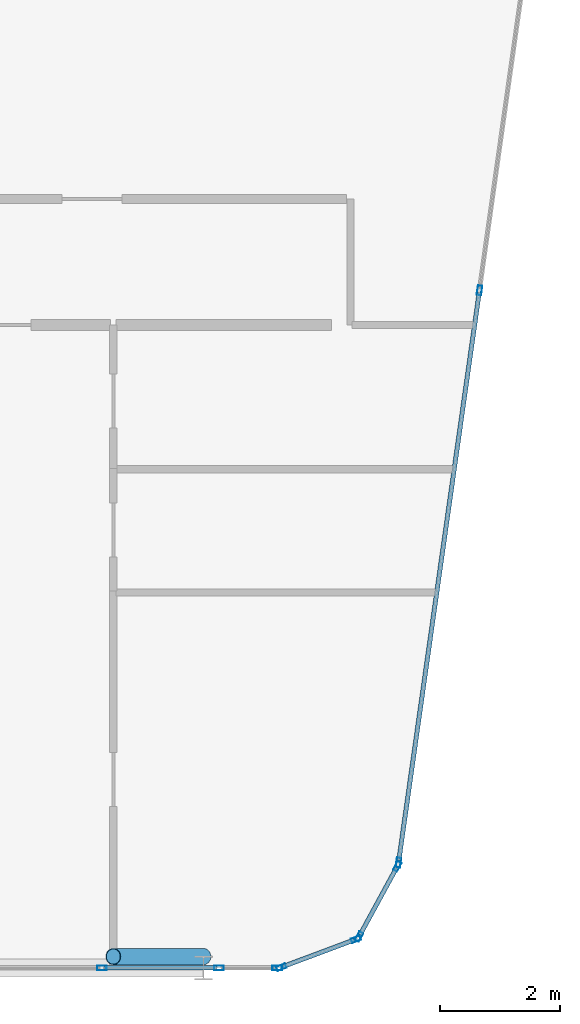
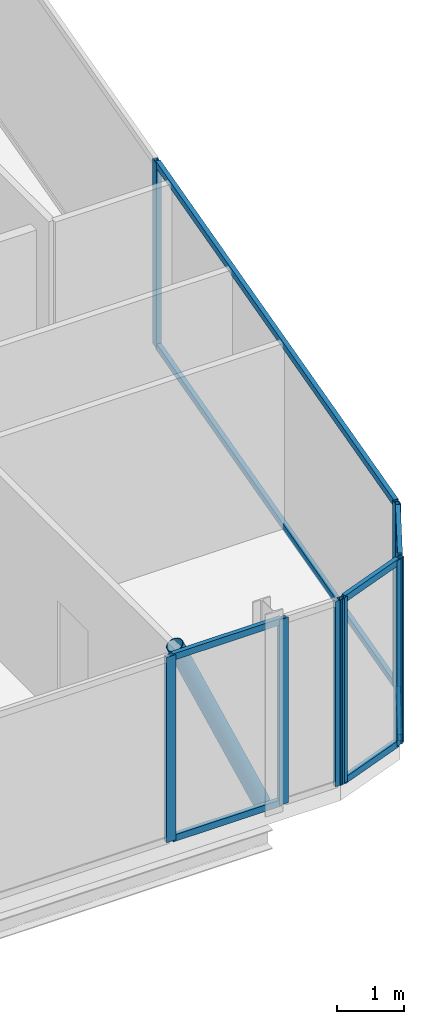
# One storey, part 14 of 31: 18 members, 5 elements without a shape of their own.
"""IFC4 building model written with IfcOpenShell, lengths in metres."""

from ifc_helpers import new_model, si_unit, direction, frame, origin, origin_2d, place, context, subcontext, project, spatial, hollow_rectangle, hollow_circle, extrude, material, layer, layer_set, material_profile, profile_set, type_object, element, aggregate, save


model = new_model("IFC4")

# Units and contexts
model_context = context("Model", 3, precision=1e-05, world=origin(), true_north=direction((0.0, 1.0)))
body_context = subcontext(model_context, "Body", "Model", "MODEL_VIEW")
ifc_project = project(units=[si_unit("LENGTHUNIT", "METRE"), si_unit("AREAUNIT", "SQUARE_METRE"), si_unit("VOLUMEUNIT", "CUBIC_METRE"), si_unit("PLANEANGLEUNIT", "RADIAN"), si_unit("MASSUNIT", "GRAM", prefix="KILO")], contexts=[model_context])

# Site, building, storey
site_placement = place(None, origin())
site = spatial("IfcSite", under=ifc_project, at=site_placement, CompositionType="ELEMENT")
building_placement = place(site_placement, origin())
building = spatial("IfcBuilding", under=site, at=building_placement, Name="Keshet Zoharim Tower", CompositionType="ELEMENT")
storey_placement = place(building_placement, frame((0.0, 0.0, 276.89990234375)))
storey = spatial("IfcBuildingStorey", under=building, at=storey_placement, Name="L69", CompositionType="ELEMENT", Elevation=276.89990234375)

# Curtain wall, members
ifc_material_1 = material(Name="Aluminium 6063-T6", Category="aluminium")
ifc_layer = layer(ifc_material_1, 0.260009765625)
ifc_layer_set = layer_set([ifc_layer], Name="Aluminium 6063-T6")
curtain_wall_type = type_object("IfcCurtainWallType", Name="CW-SYS-06", PredefinedType="NOTDEFINED", material=ifc_layer_set)
curtain_wall_1_placement = place(storey_placement, origin())
curtain_wall_1 = element("IfcCurtainWall", 1, at=curtain_wall_1_placement, inside=storey, type_object=curtain_wall_type, Name="L69 Unitised Curtain Wall 11", PredefinedType="NOTDEFINED")
ifc_material_profile_1 = material_profile(ifc_material_1, hollow_rectangle(XDim=0.074951171875, YDim=0.159912109375, WallThickness=0.00390625, at=origin_2d()), Name="MUL-75x160")
ifc_profile_set_1 = profile_set([ifc_material_profile_1], Name="Aluminium 6063-T6")
member_type_1 = type_object("IfcMemberType", Name="CWM-M15", PredefinedType="MULLION", material=ifc_profile_set_1)
member_1_placement = place(storey_placement, frame((43.595458984375, 17.97607421875, 0.0), z_axis=(0.0, 0.0, 1.0), x_axis=(0.990132057422, -0.140137464177, 0.0)))
member_1 = element("IfcMember", 2, at=member_1_placement, type_object=member_type_1, Name="CW-06 mullion 2", PredefinedType="MULLION", context=body_context, shape_type="SweptSolid", body=[
    extrude(hollow_rectangle(XDim=0.074951171875, YDim=0.159912109375, WallThickness=0.00390625, at=origin_2d()), origin(), (0.0, 0.0, 1.0), 3.39013671875),
])
member_2_placement = place(storey_placement, frame((42.247802734375, 8.45458984375, 0.0), z_axis=(0.0, 0.0, 1.0), x_axis=(0.990132057422, -0.140137464177, 0.0)))
member_2 = element("IfcMember", 3, at=member_2_placement, type_object=member_type_1, Name="CW-06 mullion 3", PredefinedType="MULLION", context=body_context, shape_type="SweptSolid", body=[
    extrude(hollow_rectangle(XDim=0.074951171875, YDim=0.159912109375, WallThickness=0.00390625, at=origin_2d()), origin(), (0.0, 0.0, 1.0), 3.39013671875),
])

curtain_wall_2_placement = place(storey_placement, origin())
curtain_wall_2 = element("IfcCurtainWall", 4, at=curtain_wall_2_placement, inside=storey, type_object=curtain_wall_type, Name="L69 Unitised Curtain Wall 12", PredefinedType="NOTDEFINED")
member_3_placement = place(storey_placement, frame((42.226318359375, 8.38916015625, 0.0), z_axis=(0.0, 0.0, 1.0), x_axis=(0.878468125004, -0.477800955789, 0.0)))
member_3 = element("IfcMember", 5, at=member_3_placement, type_object=member_type_1, Name="CW-06 mullion 1", PredefinedType="MULLION", context=body_context, shape_type="SweptSolid", body=[
    extrude(hollow_rectangle(XDim=0.074951171875, YDim=0.159912109375, WallThickness=0.00390625, at=origin_2d()), origin(), (0.0, 0.0, 1.0), 3.39013671875),
])
member_4_placement = place(storey_placement, frame((41.5908203125, 7.220703125, 0.0), z_axis=(0.0, 0.0, 1.0), x_axis=(0.878468125004, -0.477800955789, 0.0)))
member_4 = element("IfcMember", 6, at=member_4_placement, type_object=member_type_1, Name="CW-06 mullion 2", PredefinedType="MULLION", context=body_context, shape_type="SweptSolid", body=[
    extrude(hollow_rectangle(XDim=0.074951171875, YDim=0.159912109375, WallThickness=0.00390625, at=origin_2d()), origin(), (0.0, 0.0, 1.0), 3.39013671875),
])

curtain_wall_3_placement = place(storey_placement, origin())
curtain_wall_3 = element("IfcCurtainWall", 7, at=curtain_wall_3_placement, inside=storey, type_object=curtain_wall_type, Name="L69 Unitised Curtain Wall 13", PredefinedType="NOTDEFINED")
member_5_placement = place(storey_placement, frame((41.541259765625, 7.177734375, 0.0), z_axis=(0.0, 0.0, 1.0), x_axis=(0.350105315376, -0.936710343781, 0.0)))
member_5 = element("IfcMember", 8, at=member_5_placement, type_object=member_type_1, Name="CW-06 mullion 1", PredefinedType="MULLION", context=body_context, shape_type="SweptSolid", body=[
    extrude(hollow_rectangle(XDim=0.074951171875, YDim=0.159912109375, WallThickness=0.00390625, at=origin_2d()), origin(), (0.0, 0.0, 1.0), 3.39013671875),
])
member_6_placement = place(storey_placement, frame((40.2958984375, 6.712158203125, 0.0), z_axis=(0.0, 0.0, 1.0), x_axis=(0.350105315376, -0.936710343781, 0.0)))
member_6 = element("IfcMember", 9, at=member_6_placement, type_object=member_type_1, Name="CW-06 mullion 2", PredefinedType="MULLION", context=body_context, shape_type="SweptSolid", body=[
    extrude(hollow_rectangle(XDim=0.074951171875, YDim=0.159912109375, WallThickness=0.00390625, at=origin_2d()), origin(), (0.0, 0.0, 1.0), 3.39013671875),
])

curtain_wall_4_placement = place(storey_placement, origin())
curtain_wall_4 = element("IfcCurtainWall", 10, at=curtain_wall_4_placement, inside=storey, type_object=curtain_wall_type, Name="L69 Unitised Curtain Wall 14", PredefinedType="NOTDEFINED")
member_7_placement = place(storey_placement, frame((40.22802734375, 6.699951171875, 0.0), z_axis=(0.0, 0.0, 1.0), x_axis=(0.0, -1.0, 0.0)))
member_7 = element("IfcMember", 11, at=member_7_placement, type_object=member_type_1, Name="CW-06 mullion 1", PredefinedType="MULLION", context=body_context, shape_type="SweptSolid", body=[
    extrude(hollow_rectangle(XDim=0.074951171875, YDim=0.159912109375, WallThickness=0.00390625, at=origin_2d()), origin(), (0.0, 0.0, 1.0), 3.39013671875),
])
member_8_placement = place(storey_placement, frame((39.259765625, 6.699951171875, 0.0), z_axis=(0.0, 0.0, 1.0), x_axis=(0.0, -1.0, 0.0)))
member_8 = element("IfcMember", 12, at=member_8_placement, type_object=member_type_1, Name="CW-06 mullion 2", PredefinedType="MULLION", context=body_context, shape_type="SweptSolid", body=[
    extrude(hollow_rectangle(XDim=0.074951171875, YDim=0.159912109375, WallThickness=0.00390625, at=origin_2d()), origin(), (0.0, 0.0, 1.0), 3.39013671875),
])
aggregate(curtain_wall_4, [member_7, member_8])

# Curtain wall, member
curtain_wall_5_placement = place(storey_placement, origin())
curtain_wall_5 = element("IfcCurtainWall", 13, at=curtain_wall_5_placement, inside=storey, type_object=curtain_wall_type, Name="L69 Unitised Curtain Wall 14 Part 2", PredefinedType="NOTDEFINED")
member_9_placement = place(storey_placement, frame((37.310302734375, 6.699951171875, 0.0), z_axis=(0.0, 0.0, 1.0), x_axis=(0.0, -1.0, 0.0)))
member_9 = element("IfcMember", 14, at=member_9_placement, type_object=member_type_1, Name="CW-06 mullion 2", PredefinedType="MULLION", context=body_context, shape_type="SweptSolid", body=[
    extrude(hollow_rectangle(XDim=0.074951171875, YDim=0.159912109375, WallThickness=0.00390625, at=origin_2d()), origin(), (0.0, 0.0, 1.0), 3.39013671875),
])

# Member
ifc_material_profile_2 = material_profile(ifc_material_1, hollow_rectangle(XDim=0.074951171875, YDim=0.1201171875, WallThickness=0.00390625, at=origin_2d()), Name="TRN-75x120")
ifc_profile_set_2 = profile_set([ifc_material_profile_2], Name="Aluminium 6063-T6")
member_type_2 = type_object("IfcMemberType", Name="CWT-T12", PredefinedType="USERDEFINED", material=ifc_profile_set_2)
member_10_placement = place(storey_placement, frame((43.590576171875, 17.94140625, 0.03515625), z_axis=(-0.14012154881, -0.990134309859, 0.0), x_axis=(0.990134309859, -0.14012154881, 0.0)))
member_10 = element("IfcMember", 15, at=member_10_placement, type_object=member_type_2, Name="CW-06 transom 2.1", ObjectType="TRANSOM", PredefinedType="USERDEFINED", context=body_context, shape_type="SweptSolid", body=[
    extrude(hollow_rectangle(XDim=0.074951171875, YDim=0.1201171875, WallThickness=0.00390625, at=origin_2d()), origin(), (0.0, 0.0, 1.0), 9.54638671875),
])

member_11_placement = place(storey_placement, frame((43.590576171875, 17.94140625, 3.35498046875), z_axis=(-0.14012154881, -0.990134309859, 0.0), x_axis=(0.990134309859, -0.14012154881, 0.0)))
member_11 = element("IfcMember", 16, at=member_11_placement, type_object=member_type_2, Name="CW-06 transom 2.2", ObjectType="TRANSOM", PredefinedType="USERDEFINED", context=body_context, shape_type="SweptSolid", body=[
    extrude(hollow_rectangle(XDim=0.074951171875, YDim=0.1201171875, WallThickness=0.00390625, at=origin_2d()), origin(), (0.0, 0.0, 1.0), 9.54638671875),
])

aggregate(curtain_wall_1, [member_1, member_2, member_10, member_11])

member_12_placement = place(storey_placement, frame((42.20947265625, 8.3583984375, 0.03515625), z_axis=(-0.47779293276, -0.878472488701, 0.0), x_axis=(0.878472488701, -0.47779293276, 0.0)))
member_12 = element("IfcMember", 17, at=member_12_placement, type_object=member_type_2, Name="CW-06 transom 1.1", ObjectType="TRANSOM", PredefinedType="USERDEFINED", context=body_context, shape_type="SweptSolid", body=[
    extrude(hollow_rectangle(XDim=0.074951171875, YDim=0.1201171875, WallThickness=0.00390625, at=origin_2d()), origin(), (0.0, 0.0, 1.0), 1.260009765625),
])

member_13_placement = place(storey_placement, frame((42.20947265625, 8.3583984375, 3.35498046875), z_axis=(-0.47779293276, -0.878472488701, 0.0), x_axis=(0.878472488701, -0.47779293276, 0.0)))
member_13 = element("IfcMember", 18, at=member_13_placement, type_object=member_type_2, Name="CW-06 transom 1.2", ObjectType="TRANSOM", PredefinedType="USERDEFINED", context=body_context, shape_type="SweptSolid", body=[
    extrude(hollow_rectangle(XDim=0.074951171875, YDim=0.1201171875, WallThickness=0.00390625, at=origin_2d()), origin(), (0.0, 0.0, 1.0), 1.260009765625),
])

aggregate(curtain_wall_2, [member_3, member_4, member_12, member_13])

member_14_placement = place(storey_placement, frame((41.508544921875, 7.16552734375, 0.03515625), z_axis=(-0.93673477759, -0.350039935512, 0.0), x_axis=(0.350039935512, -0.93673477759, 0.0)))
member_14 = element("IfcMember", 19, at=member_14_placement, type_object=member_type_2, Name="CW-06 transom 1.1", ObjectType="TRANSOM", PredefinedType="USERDEFINED", context=body_context, shape_type="SweptSolid", body=[
    extrude(hollow_rectangle(XDim=0.074951171875, YDim=0.1201171875, WallThickness=0.00390625, at=origin_2d()), origin(), (0.0, 0.0, 1.0), 1.259521484375),
])

member_15_placement = place(storey_placement, frame((41.508544921875, 7.16552734375, 3.35498046875), z_axis=(-0.93673477759, -0.350039935512, 0.0), x_axis=(0.350039935512, -0.93673477759, 0.0)))
member_15 = element("IfcMember", 20, at=member_15_placement, type_object=member_type_2, Name="CW-06 transom 1.2", ObjectType="TRANSOM", PredefinedType="USERDEFINED", context=body_context, shape_type="SweptSolid", body=[
    extrude(hollow_rectangle(XDim=0.074951171875, YDim=0.1201171875, WallThickness=0.00390625, at=origin_2d()), origin(), (0.0, 0.0, 1.0), 1.259521484375),
])

aggregate(curtain_wall_3, [member_5, member_6, member_14, member_15])

member_16_placement = place(storey_placement, frame((39.224853515625, 6.699951171875, 0.03515625), z_axis=(-1.0, 0.0, 0.0), x_axis=(0.0, -1.0, 0.0)))
member_16 = element("IfcMember", 21, at=member_16_placement, type_object=member_type_2, Name="CW-06 transom 1.1", ObjectType="TRANSOM", PredefinedType="USERDEFINED", context=body_context, shape_type="SweptSolid", body=[
    extrude(hollow_rectangle(XDim=0.074951171875, YDim=0.1201171875, WallThickness=0.00390625, at=origin_2d()), origin(), (0.0, 0.0, 1.0), 1.879638671875),
])

member_17_placement = place(storey_placement, frame((39.224853515625, 6.699951171875, 3.35498046875), z_axis=(-1.0, 0.0, 0.0), x_axis=(0.0, -1.0, 0.0)))
member_17 = element("IfcMember", 22, at=member_17_placement, type_object=member_type_2, Name="CW-06 transom 1.2", ObjectType="TRANSOM", PredefinedType="USERDEFINED", context=body_context, shape_type="SweptSolid", body=[
    extrude(hollow_rectangle(XDim=0.074951171875, YDim=0.1201171875, WallThickness=0.00390625, at=origin_2d()), origin(), (0.0, 0.0, 1.0), 1.879638671875),
])

aggregate(curtain_wall_5, [member_9, member_16, member_17])

ifc_material_2 = material(Name="Steel S355", Category="steel")
ifc_material_profile_3 = material_profile(ifc_material_2, hollow_circle(Radius=0.136474609375, WallThickness=0.010009765625, at=origin_2d()), Name="CHS273x10")
ifc_profile_set_3 = profile_set([ifc_material_profile_3], Name="Steel S355")
member_type_3 = type_object("IfcMemberType", Name="MB-BR-C273", PredefinedType="BRACE", material=ifc_profile_set_3)
member_18_placement = place(storey_placement, frame((39.0, 6.889892578125, 0.0), z_axis=(-0.404622528463, 0.0, 0.914483793984), x_axis=(0.0, -1.0, 0.0)))
element("IfcMember", 23, at=member_18_placement, inside=storey, type_object=member_type_3, Name="L69 Perimeter Tube Brace 04", PredefinedType="BRACE", context=body_context, shape_type="SweptSolid", body=[
    extrude(hollow_circle(Radius=0.136474609375, WallThickness=0.010009765625, at=origin_2d()), origin(), (0.0, 0.0, 1.0), 3.707275390625),
])

save(model, "model.ifc")
